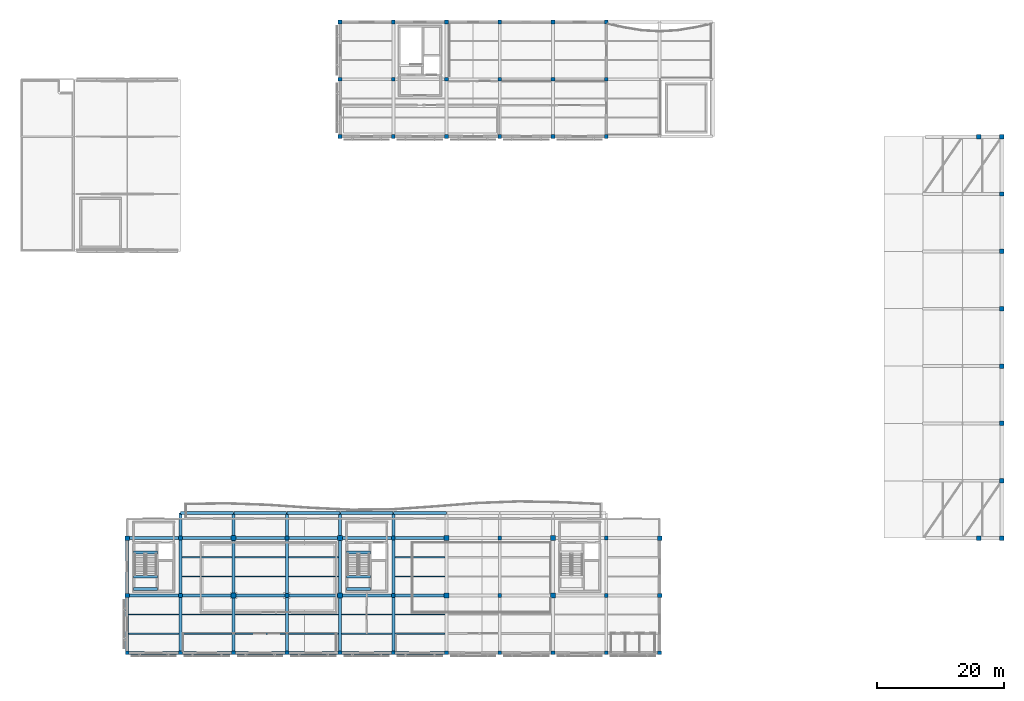
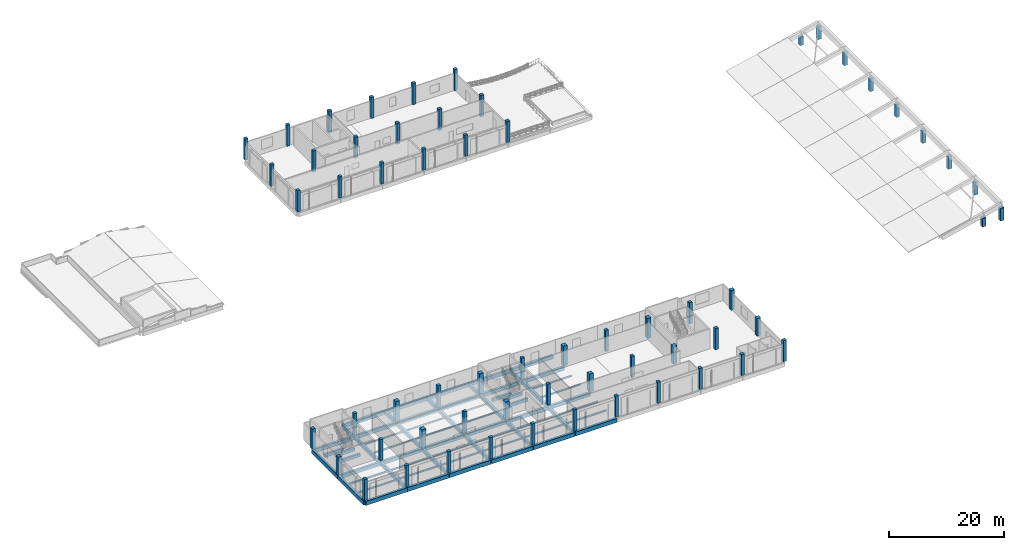
# One storey, part 1 of 28: 61 beams, 61 columns.
"""IFC4 building model written with IfcOpenShell, lengths in metres."""

from ifc_helpers import new_model, si_unit, direction, frame, origin, origin_2d, place, context, subcontext, project, spatial, rectangle, i_section, extrude, material, material_profile, profile_set, type_object, element, save


model = new_model("IFC4")

# Units and contexts
model_context = context("Model", 3, precision=1e-05, world=origin(), true_north=direction((0.0, 1.0)))
body_context = subcontext(model_context, "Body", "Model", "MODEL_VIEW")
ifc_project = project(units=[si_unit("LENGTHUNIT", "METRE"), si_unit("AREAUNIT", "SQUARE_METRE"), si_unit("VOLUMEUNIT", "CUBIC_METRE"), si_unit("PLANEANGLEUNIT", "RADIAN"), si_unit("MASSUNIT", "GRAM", prefix="KILO")], contexts=[model_context])

# Site, building, storey
site_placement = place(None, origin())
site = spatial("IfcSite", under=ifc_project, at=site_placement, CompositionType="ELEMENT")
building_placement = place(site_placement, origin())
building = spatial("IfcBuilding", under=site, at=building_placement, Name="Khurvash Pelagic Aquarium", CompositionType="ELEMENT")
storey_placement = place(building_placement, frame((0.0, 0.0, 20.10009765625)))
storey = spatial("IfcBuildingStorey", under=building, at=storey_placement, Name="L04", CompositionType="ELEMENT", Elevation=20.10009765625)

# Columns
ifc_material_1 = material(Name="Concrete C40/50", Category="concrete")
ifc_material_profile_1 = material_profile(ifc_material_1, rectangle(XDim=0.800048828125, YDim=0.800048828125, at=origin_2d()), Name="RC800X800")
ifc_profile_set_1 = profile_set([ifc_material_profile_1], Name="Concrete C40/50")
column_type_1 = type_object("IfcColumnType", Name="C-02", PredefinedType="COLUMN", material=ifc_profile_set_1)
column_1_placement = place(storey_placement, frame((42.0, 11.64990234375, 0.0), z_axis=(0.0, 0.0, 1.0), x_axis=(1.0, 0.0, 0.0)))
element("IfcColumn", 1, at=column_1_placement, inside=storey, type_object=column_type_1, Name="L04 Column C-02 at 6/C", PredefinedType="COLUMN", context=body_context, shape_type="SweptSolid", body=[
    extrude(rectangle(XDim=0.800048828125, YDim=0.800048828125, at=origin_2d()), origin(), (0.0, 0.0, 1.0), 3.75),
])
column_2_placement = place(storey_placement, frame((42.0, 20.699951171875, 0.0), z_axis=(0.0, 0.0, 1.0), x_axis=(1.0, 0.0, 0.0)))
element("IfcColumn", 2, at=column_2_placement, inside=storey, type_object=column_type_1, Name="L04 Column C-02 at 6/D", PredefinedType="COLUMN", context=body_context, shape_type="SweptSolid", body=[
    extrude(rectangle(XDim=0.800048828125, YDim=0.800048828125, at=origin_2d()), origin(), (0.0, 0.0, 1.0), 4.199951171875),
])
column_3_placement = place(storey_placement, frame((58.800048828125, 11.64990234375, 0.0), z_axis=(0.0, 0.0, 1.0), x_axis=(1.0, 0.0, 0.0)))
element("IfcColumn", 3, at=column_3_placement, inside=storey, type_object=column_type_1, Name="L04 Column C-02 at 8/C", PredefinedType="COLUMN", context=body_context, shape_type="SweptSolid", body=[
    extrude(rectangle(XDim=0.800048828125, YDim=0.800048828125, at=origin_2d()), origin(), (0.0, 0.0, 1.0), 3.75),
])
column_4_placement = place(storey_placement, frame((58.800048828125, 20.699951171875, 0.0), z_axis=(0.0, 0.0, 1.0), x_axis=(1.0, 0.0, 0.0)))
element("IfcColumn", 4, at=column_4_placement, inside=storey, type_object=column_type_1, Name="L04 Column C-02 at 8/D", PredefinedType="COLUMN", context=body_context, shape_type="SweptSolid", body=[
    extrude(rectangle(XDim=0.800048828125, YDim=0.800048828125, at=origin_2d()), origin(), (0.0, 0.0, 1.0), 4.199951171875),
])
column_5_placement = place(storey_placement, frame((75.60009765625, 11.64990234375, 0.0), z_axis=(0.0, 0.0, 1.0), x_axis=(1.0, 0.0, 0.0)))
element("IfcColumn", 5, at=column_5_placement, inside=storey, type_object=column_type_1, Name="L04 Column C-02 at 10/C", PredefinedType="COLUMN", context=body_context, shape_type="SweptSolid", body=[
    extrude(rectangle(XDim=0.800048828125, YDim=0.800048828125, at=origin_2d()), origin(), (0.0, 0.0, 1.0), 3.75),
])
column_6_placement = place(storey_placement, frame((75.60009765625, 20.699951171875, 0.0), z_axis=(0.0, 0.0, 1.0), x_axis=(1.0, 0.0, 0.0)))
element("IfcColumn", 6, at=column_6_placement, inside=storey, type_object=column_type_1, Name="L04 Column C-02 at 10/D", PredefinedType="COLUMN", context=body_context, shape_type="SweptSolid", body=[
    extrude(rectangle(XDim=0.800048828125, YDim=0.800048828125, at=origin_2d()), origin(), (0.0, 0.0, 1.0), 4.199951171875),
])
column_7_placement = place(storey_placement, frame((92.39990234375, 11.64990234375, 0.0), z_axis=(0.0, 0.0, 1.0), x_axis=(1.0, 0.0, 0.0)))
element("IfcColumn", 7, at=column_7_placement, inside=storey, type_object=column_type_1, Name="L04 Column C-02 at 12/C", PredefinedType="COLUMN", context=body_context, shape_type="SweptSolid", body=[
    extrude(rectangle(XDim=0.800048828125, YDim=0.800048828125, at=origin_2d()), origin(), (0.0, 0.0, 1.0), 3.75),
])
column_8_placement = place(storey_placement, frame((92.39990234375, 20.699951171875, 0.0), z_axis=(0.0, 0.0, 1.0), x_axis=(1.0, 0.0, 0.0)))
element("IfcColumn", 8, at=column_8_placement, inside=storey, type_object=column_type_1, Name="L04 Column C-02 at 12/D", PredefinedType="COLUMN", context=body_context, shape_type="SweptSolid", body=[
    extrude(rectangle(XDim=0.800048828125, YDim=0.800048828125, at=origin_2d()), origin(), (0.0, 0.0, 1.0), 4.199951171875),
])
ifc_material_profile_2 = material_profile(ifc_material_1, rectangle(XDim=0.60009765625, YDim=0.60009765625, at=origin_2d()), Name="RC600X600")
ifc_profile_set_2 = profile_set([ifc_material_profile_2], Name="Concrete C40/50")
column_type_2 = type_object("IfcColumnType", Name="C-04", PredefinedType="COLUMN", material=ifc_profile_set_2)
for number, where, z_axis, x_axis, name in (
    (9, (33.60009765625, 11.64990234375, 0.0), (0.0, 0.0, 1.0), (1.0, 0.0, 0.0), "L04 Column C-04 at 5/C"),
    (10, (33.60009765625, 20.699951171875, 0.0), (0.0, 0.0, 1.0), (1.0, 0.0, 0.0), "L04 Column C-04 at 5/D"),
    (11, (50.39990234375, 11.64990234375, 0.0), (0.0, 0.0, 1.0), (1.0, 0.0, 0.0), "L04 Column C-04 at 7/C"),
    (12, (50.39990234375, 20.699951171875, 0.0), (0.0, 0.0, 1.0), (1.0, 0.0, 0.0), "L04 Column C-04 at 7/D"),
    (13, (67.199951171875, 11.64990234375, 0.0), (0.0, 0.0, 1.0), (1.0, 0.0, 0.0), "L04 Column C-04 at 9/C"),
    (14, (67.199951171875, 20.699951171875, 0.0), (0.0, 0.0, 1.0), (1.0, 0.0, 0.0), "L04 Column C-04 at 9/D"),
    (15, (67.199951171875, 93.10009765625, 0.0), (0.0, 0.0, 1.0), (1.0, 0.0, 0.0), "L04 Column C-04 at 9/M"),
    (16, (75.60009765625, 93.10009765625, 0.0), (0.0, 0.0, 1.0), (1.0, 0.0, 0.0), "L04 Column C-04 at 10/M"),
    (17, (84.0, 11.64990234375, 0.0), (0.0, 0.0, 1.0), (1.0, 0.0, 0.0), "L04 Column C-04 at 11/C"),
    (18, (84.0, 20.699951171875, 0.0), (0.0, 0.0, 1.0), (1.0, 0.0, 0.0), "L04 Column C-04 at 11/D"),
    (19, (84.0, 93.10009765625, 0.0), (0.0, 0.0, 1.0), (1.0, 0.0, 0.0), "L04 Column C-04 at 11/M"),
    (20, (92.39990234375, 93.10009765625, 0.0), (0.0, 0.0, 1.0), (1.0, 0.0, 0.0), "L04 Column C-04 at 12/M"),
    (21, (100.800048828125, 11.64990234375, 0.0), (0.0, 0.0, 1.0), (1.0, 0.0, 0.0), "L04 Column C-04 at 13/C"),
    (22, (100.800048828125, 20.699951171875, 0.0), (0.0, 0.0, 1.0), (1.0, 0.0, 0.0), "L04 Column C-04 at 13/D"),
):
    element("IfcColumn", number, at=place(storey_placement, frame(where, z_axis=z_axis, x_axis=x_axis)), inside=storey, type_object=column_type_2, Name=name, PredefinedType="COLUMN", context=body_context, shape_type="SweptSolid", body=[
        extrude(rectangle(XDim=0.60009765625, YDim=0.60009765625, at=origin_2d()), origin(), (0.0, 0.0, 1.0), 4.5),
    ])
ifc_material_profile_3 = material_profile(ifc_material_1, rectangle(XDim=0.699951171875, YDim=0.699951171875, at=origin_2d()), Name="RC700X700")
ifc_profile_set_3 = profile_set([ifc_material_profile_3], Name="Concrete C40/50")
column_type_3 = type_object("IfcColumnType", Name="C-07", PredefinedType="COLUMN", material=ifc_profile_set_3)
for number, where, z_axis, x_axis, name in (
    (23, (159.60009765625, 20.699951171875, 0.0), (0.0, 0.0, 1.0), (1.0, 0.0, 0.0), "L04 Wave-Shell Perimeter Column C-07 at 20/D"),
    (24, (159.60009765625, 84.050048828125, 0.0), (0.0, 0.0, 1.0), (1.0, 0.0, 0.0), "L04 Wave-Shell Perimeter Column C-07 at 20/L"),
):
    element("IfcColumn", number, at=place(storey_placement, frame(where, z_axis=z_axis, x_axis=x_axis)), inside=storey, type_object=column_type_3, Name=name, PredefinedType="COLUMN", context=body_context, shape_type="SweptSolid", body=[
        extrude(rectangle(XDim=0.699951171875, YDim=0.699951171875, at=origin_2d()), origin(), (0.0, 0.0, 1.0), 1.822998046875),
    ])
for number, where, z_axis, x_axis, name in (
    (25, (163.199951171875, 20.699951171875, 0.0), (0.0, 0.0, 1.0), (1.0, 0.0, 0.0), "L04 Wave-Shell Perimeter Column C-07 at 21/D"),
    (26, (163.199951171875, 29.75, 0.0), (0.0, 0.0, 1.0), (1.0, 0.0, 0.0), "L04 Wave-Shell Perimeter Column C-07 at 21/E"),
    (27, (163.199951171875, 38.800048828125, 0.0), (0.0, 0.0, 1.0), (1.0, 0.0, 0.0), "L04 Wave-Shell Perimeter Column C-07 at 21/F"),
    (28, (163.199951171875, 47.85009765625, 0.0), (0.0, 0.0, 1.0), (1.0, 0.0, 0.0), "L04 Wave-Shell Perimeter Column C-07 at 21/G"),
    (29, (163.199951171875, 56.89990234375, 0.0), (0.0, 0.0, 1.0), (1.0, 0.0, 0.0), "L04 Wave-Shell Perimeter Column C-07 at 21/H"),
    (30, (163.199951171875, 65.949951171875, 0.0), (0.0, 0.0, 1.0), (1.0, 0.0, 0.0), "L04 Wave-Shell Perimeter Column C-07 at 21/J"),
    (31, (163.199951171875, 75.0, 0.0), (0.0, 0.0, 1.0), (1.0, 0.0, 0.0), "L04 Wave-Shell Perimeter Column C-07 at 21/K"),
    (32, (163.199951171875, 84.050048828125, 0.0), (0.0, 0.0, 1.0), (1.0, 0.0, 0.0), "L04 Wave-Shell Perimeter Column C-07 at 21/L"),
):
    element("IfcColumn", number, at=place(storey_placement, frame(where, z_axis=z_axis, x_axis=x_axis)), inside=storey, type_object=column_type_3, Name=name, PredefinedType="COLUMN", context=body_context, shape_type="SweptSolid", body=[
        extrude(rectangle(XDim=0.699951171875, YDim=0.699951171875, at=origin_2d()), origin(), (0.0, 0.0, 1.0), 2.699951171875),
    ])
column_9_placement = place(storey_placement, frame((25.199951171875, 11.64990234375, 0.0), z_axis=(0.0, 0.0, 1.0), x_axis=(1.0, 0.0, 0.0)))
element("IfcColumn", 33, at=column_9_placement, inside=storey, type_object=column_type_3, Name="L04 Column C-07 at 4/C", PredefinedType="COLUMN", context=body_context, shape_type="SweptSolid", body=[
    extrude(rectangle(XDim=0.699951171875, YDim=0.699951171875, at=origin_2d()), origin(), (0.0, 0.0, 1.0), 3.75),
])
column_10_placement = place(storey_placement, frame((25.199951171875, 20.699951171875, 0.0), z_axis=(0.0, 0.0, 1.0), x_axis=(1.0, 0.0, 0.0)))
element("IfcColumn", 34, at=column_10_placement, inside=storey, type_object=column_type_3, Name="L04 Column C-07 at 4/D", PredefinedType="COLUMN", context=body_context, shape_type="SweptSolid", body=[
    extrude(rectangle(XDim=0.699951171875, YDim=0.699951171875, at=origin_2d()), origin(), (0.0, 0.0, 1.0), 4.199951171875),
])
column_11_placement = place(storey_placement, frame((109.199951171875, 11.64990234375, 0.0), z_axis=(0.0, 0.0, 1.0), x_axis=(1.0, 0.0, 0.0)))
element("IfcColumn", 35, at=column_11_placement, inside=storey, type_object=column_type_3, Name="L04 Column C-07 at 14/C", PredefinedType="COLUMN", context=body_context, shape_type="SweptSolid", body=[
    extrude(rectangle(XDim=0.699951171875, YDim=0.699951171875, at=origin_2d()), origin(), (0.0, 0.0, 1.0), 3.75),
])
column_12_placement = place(storey_placement, frame((109.199951171875, 20.699951171875, 0.0), z_axis=(0.0, 0.0, 1.0), x_axis=(1.0, 0.0, 0.0)))
element("IfcColumn", 36, at=column_12_placement, inside=storey, type_object=column_type_3, Name="L04 Column C-07 at 14/D", PredefinedType="COLUMN", context=body_context, shape_type="SweptSolid", body=[
    extrude(rectangle(XDim=0.699951171875, YDim=0.699951171875, at=origin_2d()), origin(), (0.0, 0.0, 1.0), 4.199951171875),
])
ifc_material_profile_4 = material_profile(ifc_material_1, rectangle(XDim=0.60009765625, YDim=0.60009765625, at=origin_2d()), Name="RC600X600")
ifc_profile_set_4 = profile_set([ifc_material_profile_4], Name="Concrete C40/50")
column_type_4 = type_object("IfcColumnType", Name="C-08", PredefinedType="COLUMN", material=ifc_profile_set_4)
for number, where, z_axis, x_axis, name in (
    (37, (25.199951171875, 2.60009765625, 0.0), (0.0, 0.0, 1.0), (1.0, 0.0, 0.0), "L04 Column C-08 at 4/B"),
    (38, (33.60009765625, 2.60009765625, 0.0), (0.0, 0.0, 1.0), (1.0, 0.0, 0.0), "L04 Column C-08 at 5/B"),
    (39, (42.0, 2.60009765625, 0.0), (0.0, 0.0, 1.0), (1.0, 0.0, 0.0), "L04 Column C-08 at 6/B"),
    (40, (50.39990234375, 2.60009765625, 0.0), (0.0, 0.0, 1.0), (1.0, 0.0, 0.0), "L04 Column C-08 at 7/B"),
    (41, (58.800048828125, 2.60009765625, 0.0), (0.0, 0.0, 1.0), (1.0, 0.0, 0.0), "L04 Column C-08 at 8/B"),
    (42, (58.800048828125, 84.050048828125, 0.0), (0.0, 0.0, 1.0), (1.0, 0.0, 0.0), "L04 Column C-08 at 8/L"),
    (43, (58.800048828125, 93.10009765625, 0.0), (0.0, 0.0, 1.0), (1.0, 0.0, 0.0), "L04 Column C-08 at 8/M"),
    (44, (58.800048828125, 102.14990234375, 0.0), (0.0, 0.0, 1.0), (1.0, 0.0, 0.0), "L04 Column C-08 at 8/N"),
    (45, (67.199951171875, 2.60009765625, 0.0), (0.0, 0.0, 1.0), (1.0, 0.0, 0.0), "L04 Column C-08 at 9/B"),
    (46, (67.199951171875, 84.050048828125, 0.0), (0.0, 0.0, 1.0), (1.0, 0.0, 0.0), "L04 Column C-08 at 9/L"),
    (47, (67.199951171875, 102.14990234375, 0.0), (0.0, 0.0, 1.0), (1.0, 0.0, 0.0), "L04 Column C-08 at 9/N"),
    (48, (75.60009765625, 2.60009765625, 0.0), (0.0, 0.0, 1.0), (1.0, 0.0, 0.0), "L04 Column C-08 at 10/B"),
    (49, (75.60009765625, 84.050048828125, 0.0), (0.0, 0.0, 1.0), (1.0, 0.0, 0.0), "L04 Column C-08 at 10/L"),
    (50, (75.60009765625, 102.14990234375, 0.0), (0.0, 0.0, 1.0), (1.0, 0.0, 0.0), "L04 Column C-08 at 10/N"),
    (51, (84.0, 2.60009765625, 0.0), (0.0, 0.0, 1.0), (1.0, 0.0, 0.0), "L04 Column C-08 at 11/B"),
    (52, (84.0, 84.050048828125, 0.0), (0.0, 0.0, 1.0), (1.0, 0.0, 0.0), "L04 Column C-08 at 11/L"),
    (53, (84.0, 102.14990234375, 0.0), (0.0, 0.0, 1.0), (1.0, 0.0, 0.0), "L04 Column C-08 at 11/N"),
    (54, (92.39990234375, 2.60009765625, 0.0), (0.0, 0.0, 1.0), (1.0, 0.0, 0.0), "L04 Column C-08 at 12/B"),
    (55, (92.39990234375, 84.050048828125, 0.0), (0.0, 0.0, 1.0), (1.0, 0.0, 0.0), "L04 Column C-08 at 12/L"),
    (56, (92.39990234375, 102.14990234375, 0.0), (0.0, 0.0, 1.0), (1.0, 0.0, 0.0), "L04 Column C-08 at 12/N"),
    (57, (100.800048828125, 2.60009765625, 0.0), (0.0, 0.0, 1.0), (1.0, 0.0, 0.0), "L04 Column C-08 at 13/B"),
    (58, (100.800048828125, 84.050048828125, 0.0), (0.0, 0.0, 1.0), (1.0, 0.0, 0.0), "L04 Column C-08 at 13/L"),
    (59, (100.800048828125, 93.10009765625, 0.0), (0.0, 0.0, 1.0), (1.0, 0.0, 0.0), "L04 Column C-08 at 13/M"),
    (60, (100.800048828125, 102.14990234375, 0.0), (0.0, 0.0, 1.0), (1.0, 0.0, 0.0), "L04 Column C-08 at 13/N"),
    (61, (109.199951171875, 2.60009765625, 0.0), (0.0, 0.0, 1.0), (1.0, 0.0, 0.0), "L04 Column C-08 at 14/B"),
):
    element("IfcColumn", number, at=place(storey_placement, frame(where, z_axis=z_axis, x_axis=x_axis)), inside=storey, type_object=column_type_4, Name=name, PredefinedType="COLUMN", context=body_context, shape_type="SweptSolid", body=[
        extrude(rectangle(XDim=0.60009765625, YDim=0.60009765625, at=origin_2d()), origin(), (0.0, 0.0, 1.0), 4.5),
    ])

# Beams
ifc_material_2 = material(Name="Concrete C35/45", Category="concrete")
ifc_material_profile_5 = material_profile(ifc_material_2, rectangle(XDim=0.449951171875, YDim=0.75, at=origin_2d()), Name="RC450X750")
ifc_profile_set_5 = profile_set([ifc_material_profile_5], Name="Concrete C35/45")
beam_type_1 = type_object("IfcBeamType", Name="BM-04", PredefinedType="BEAM", material=ifc_profile_set_5)
for number, where, z_axis, x_axis, name in (
    (62, (25.239990234375, 11.64990234375, -0.695068359375), (1.0, 0.0, 0.0), (0.0, 1.0, 0.0), "L04 Primary Girder BM-04 01054"),
    (63, (33.639892578125, 11.64990234375, -0.695068359375), (1.0, 0.0, 0.0), (0.0, 1.0, 0.0), "L04 Primary Girder BM-04 01055"),
    (64, (42.0400390625, 11.64990234375, -0.695068359375), (1.0, 0.0, 0.0), (0.0, 1.0, 0.0), "L04 Primary Girder BM-04 01056"),
    (65, (50.43994140625, 11.64990234375, -0.695068359375), (1.0, 0.0, 0.0), (0.0, 1.0, 0.0), "L04 Primary Girder BM-04 01057"),
):
    element("IfcBeam", number, at=place(storey_placement, frame(where, z_axis=z_axis, x_axis=x_axis)), inside=storey, type_object=beam_type_1, Name=name, PredefinedType="BEAM", context=body_context, shape_type="SweptSolid", body=[
        extrude(rectangle(XDim=0.449951171875, YDim=0.75, at=origin_2d()), origin(), (0.0, 0.0, 1.0), 8.320068359375),
    ])
beam_1_placement = place(storey_placement, frame((58.840087890625, 11.64990234375, -0.695068359375), z_axis=(1.0, 0.0, 0.0), x_axis=(0.0, 1.0, 0.0)))
element("IfcBeam", 66, at=beam_1_placement, inside=storey, type_object=beam_type_1, Name="L04 Primary Girder BM-04 01058", PredefinedType="BEAM", context=body_context, shape_type="SweptSolid", body=[
    extrude(rectangle(XDim=0.449951171875, YDim=0.75, at=origin_2d()), origin(), (0.0, 0.0, 1.0), 8.31982421875),
])
for number, where, z_axis, x_axis, name in (
    (67, (67.239990234375, 11.64990234375, -0.695068359375), (1.0, 0.0, 0.0), (0.0, 1.0, 0.0), "L04 Primary Girder BM-04 01059"),
    (68, (25.239990234375, 20.699951171875, -0.695068359375), (1.0, 0.0, 0.0), (0.0, 1.0, 0.0), "L04 Primary Girder BM-04 01064"),
    (69, (33.639892578125, 20.699951171875, -0.695068359375), (1.0, 0.0, 0.0), (0.0, 1.0, 0.0), "L04 Primary Girder BM-04 01065"),
    (70, (42.0400390625, 20.699951171875, -0.695068359375), (1.0, 0.0, 0.0), (0.0, 1.0, 0.0), "L04 Primary Girder BM-04 01066"),
    (71, (50.43994140625, 20.699951171875, -0.695068359375), (1.0, 0.0, 0.0), (0.0, 1.0, 0.0), "L04 Primary Girder BM-04 01067"),
):
    element("IfcBeam", number, at=place(storey_placement, frame(where, z_axis=z_axis, x_axis=x_axis)), inside=storey, type_object=beam_type_1, Name=name, PredefinedType="BEAM", context=body_context, shape_type="SweptSolid", body=[
        extrude(rectangle(XDim=0.449951171875, YDim=0.75, at=origin_2d()), origin(), (0.0, 0.0, 1.0), 8.320068359375),
    ])
beam_2_placement = place(storey_placement, frame((58.840087890625, 20.699951171875, -0.695068359375), z_axis=(1.0, 0.0, 0.0), x_axis=(0.0, 1.0, 0.0)))
element("IfcBeam", 72, at=beam_2_placement, inside=storey, type_object=beam_type_1, Name="L04 Primary Girder BM-04 01068", PredefinedType="BEAM", context=body_context, shape_type="SweptSolid", body=[
    extrude(rectangle(XDim=0.449951171875, YDim=0.75, at=origin_2d()), origin(), (0.0, 0.0, 1.0), 8.31982421875),
])
beam_3_placement = place(storey_placement, frame((67.239990234375, 20.699951171875, -0.695068359375), z_axis=(1.0, 0.0, 0.0), x_axis=(0.0, 1.0, 0.0)))
element("IfcBeam", 73, at=beam_3_placement, inside=storey, type_object=beam_type_1, Name="L04 Primary Girder BM-04 01069", PredefinedType="BEAM", context=body_context, shape_type="SweptSolid", body=[
    extrude(rectangle(XDim=0.449951171875, YDim=0.75, at=origin_2d()), origin(), (0.0, 0.0, 1.0), 8.320068359375),
])
beam_4_placement = place(storey_placement, frame((33.60009765625, 2.639892578125, -0.675048828125), z_axis=(0.0, 1.0, 0.0), x_axis=(-1.0, 0.0, 0.0)))
element("IfcBeam", 74, at=beam_4_placement, inside=storey, type_object=beam_type_1, Name="L04 Primary Girder BM-04 01097", PredefinedType="BEAM", context=body_context, shape_type="SweptSolid", body=[
    extrude(rectangle(XDim=0.449951171875, YDim=0.75, at=origin_2d()), origin(), (0.0, 0.0, 1.0), 8.97021484375),
])
beam_5_placement = place(storey_placement, frame((33.60009765625, 11.68994140625, -0.695068359375), z_axis=(0.0, 1.0, 0.0), x_axis=(-1.0, 0.0, 0.0)))
element("IfcBeam", 75, at=beam_5_placement, inside=storey, type_object=beam_type_1, Name="L04 Primary Girder BM-04 01098", PredefinedType="BEAM", context=body_context, shape_type="SweptSolid", body=[
    extrude(rectangle(XDim=0.449951171875, YDim=0.75, at=origin_2d()), origin(), (0.0, 0.0, 1.0), 12.9599609375),
])
beam_6_placement = place(storey_placement, frame((42.0, 2.639892578125, -0.675048828125), z_axis=(0.0, 1.0, 0.0), x_axis=(-1.0, 0.0, 0.0)))
element("IfcBeam", 76, at=beam_6_placement, inside=storey, type_object=beam_type_1, Name="L04 Primary Girder BM-04 01099", PredefinedType="BEAM", context=body_context, shape_type="SweptSolid", body=[
    extrude(rectangle(XDim=0.449951171875, YDim=0.75, at=origin_2d()), origin(), (0.0, 0.0, 1.0), 8.97021484375),
])
beam_7_placement = place(storey_placement, frame((42.0, 11.68994140625, -0.695068359375), z_axis=(0.0, 1.0, 0.0), x_axis=(-1.0, 0.0, 0.0)))
element("IfcBeam", 77, at=beam_7_placement, inside=storey, type_object=beam_type_1, Name="L04 Primary Girder BM-04 01100", PredefinedType="BEAM", context=body_context, shape_type="SweptSolid", body=[
    extrude(rectangle(XDim=0.449951171875, YDim=0.75, at=origin_2d()), origin(), (0.0, 0.0, 1.0), 12.9599609375),
])
beam_8_placement = place(storey_placement, frame((50.39990234375, 2.639892578125, -0.675048828125), z_axis=(0.0, 1.0, 0.0), x_axis=(-1.0, 0.0, 0.0)))
element("IfcBeam", 78, at=beam_8_placement, inside=storey, type_object=beam_type_1, Name="L04 Primary Girder BM-04 01101", PredefinedType="BEAM", context=body_context, shape_type="SweptSolid", body=[
    extrude(rectangle(XDim=0.449951171875, YDim=0.75, at=origin_2d()), origin(), (0.0, 0.0, 1.0), 8.97021484375),
])
beam_9_placement = place(storey_placement, frame((50.39990234375, 11.68994140625, -0.695068359375), z_axis=(0.0, 1.0, 0.0), x_axis=(-1.0, 0.0, 0.0)))
element("IfcBeam", 79, at=beam_9_placement, inside=storey, type_object=beam_type_1, Name="L04 Primary Girder BM-04 01102", PredefinedType="BEAM", context=body_context, shape_type="SweptSolid", body=[
    extrude(rectangle(XDim=0.449951171875, YDim=0.75, at=origin_2d()), origin(), (0.0, 0.0, 1.0), 12.9599609375),
])
beam_10_placement = place(storey_placement, frame((58.800048828125, 2.639892578125, -0.675048828125), z_axis=(0.0, 1.0, 0.0), x_axis=(-1.0, 0.0, 0.0)))
element("IfcBeam", 80, at=beam_10_placement, inside=storey, type_object=beam_type_1, Name="L04 Primary Girder BM-04 01103", PredefinedType="BEAM", context=body_context, shape_type="SweptSolid", body=[
    extrude(rectangle(XDim=0.449951171875, YDim=0.75, at=origin_2d()), origin(), (0.0, 0.0, 1.0), 8.97021484375),
])
beam_11_placement = place(storey_placement, frame((58.800048828125, 11.68994140625, -0.695068359375), z_axis=(0.0, 1.0, 0.0), x_axis=(-1.0, 0.0, 0.0)))
element("IfcBeam", 81, at=beam_11_placement, inside=storey, type_object=beam_type_1, Name="L04 Primary Girder BM-04 01104", PredefinedType="BEAM", context=body_context, shape_type="SweptSolid", body=[
    extrude(rectangle(XDim=0.449951171875, YDim=0.75, at=origin_2d()), origin(), (0.0, 0.0, 1.0), 12.9599609375),
])
beam_12_placement = place(storey_placement, frame((67.199951171875, 2.639892578125, -0.675048828125), z_axis=(0.0, 1.0, 0.0), x_axis=(-1.0, 0.0, 0.0)))
element("IfcBeam", 82, at=beam_12_placement, inside=storey, type_object=beam_type_1, Name="L04 Primary Girder BM-04 01107", PredefinedType="BEAM", context=body_context, shape_type="SweptSolid", body=[
    extrude(rectangle(XDim=0.449951171875, YDim=0.75, at=origin_2d()), origin(), (0.0, 0.0, 1.0), 8.97021484375),
])
beam_13_placement = place(storey_placement, frame((67.199951171875, 11.68994140625, -0.695068359375), z_axis=(0.0, 1.0, 0.0), x_axis=(-1.0, 0.0, 0.0)))
element("IfcBeam", 83, at=beam_13_placement, inside=storey, type_object=beam_type_1, Name="L04 Primary Girder BM-04 01108", PredefinedType="BEAM", context=body_context, shape_type="SweptSolid", body=[
    extrude(rectangle(XDim=0.449951171875, YDim=0.75, at=origin_2d()), origin(), (0.0, 0.0, 1.0), 12.9599609375),
])
for number, where, z_axis, x_axis, name in (
    (84, (33.639892578125, 24.64990234375, -0.695068359375), (1.0, 0.0, 0.0), (0.0, 1.0, 0.0), "L04 Terrace Edge Trimmer Beam BM-04"),
    (85, (42.0400390625, 24.64990234375, -0.695068359375), (1.0, 0.0, 0.0), (0.0, 1.0, 0.0), "L04 Terrace Edge Trimmer Beam BM-04"),
    (86, (50.43994140625, 24.64990234375, -0.695068359375), (1.0, 0.0, 0.0), (0.0, 1.0, 0.0), "L04 Terrace Edge Trimmer Beam BM-04"),
):
    element("IfcBeam", number, at=place(storey_placement, frame(where, z_axis=z_axis, x_axis=x_axis)), inside=storey, type_object=beam_type_1, Name=name, PredefinedType="BEAM", context=body_context, shape_type="SweptSolid", body=[
        extrude(rectangle(XDim=0.449951171875, YDim=0.75, at=origin_2d()), origin(), (0.0, 0.0, 1.0), 8.320068359375),
    ])
beam_14_placement = place(storey_placement, frame((58.840087890625, 24.64990234375, -0.695068359375), z_axis=(1.0, 0.0, 0.0), x_axis=(0.0, 1.0, 0.0)))
element("IfcBeam", 87, at=beam_14_placement, inside=storey, type_object=beam_type_1, Name="L04 Terrace Edge Trimmer Beam BM-04", PredefinedType="BEAM", context=body_context, shape_type="SweptSolid", body=[
    extrude(rectangle(XDim=0.449951171875, YDim=0.75, at=origin_2d()), origin(), (0.0, 0.0, 1.0), 8.31982421875),
])
beam_15_placement = place(storey_placement, frame((67.239990234375, 24.64990234375, -0.695068359375), z_axis=(1.0, 0.0, 0.0), x_axis=(0.0, 1.0, 0.0)))
element("IfcBeam", 88, at=beam_15_placement, inside=storey, type_object=beam_type_1, Name="L04 Terrace Edge Trimmer Beam BM-04", PredefinedType="BEAM", context=body_context, shape_type="SweptSolid", body=[
    extrude(rectangle(XDim=0.449951171875, YDim=0.75, at=origin_2d()), origin(), (0.0, 0.0, 1.0), 8.320068359375),
])
ifc_material_profile_6 = material_profile(ifc_material_2, rectangle(XDim=0.39990234375, YDim=0.64990234375, at=origin_2d()), Name="RC400X650")
ifc_profile_set_6 = profile_set([ifc_material_profile_6], Name="Concrete C35/45")
beam_type_2 = type_object("IfcBeamType", Name="BM-05", PredefinedType="BEAM", material=ifc_profile_set_6)
for number, where, z_axis, x_axis, name in (
    (89, (26.179931640625, 18.429931640625, -0.625), (1.0, 0.0, 0.0), (0.0, 1.0, 0.0), "L04 Stair ST-01 Header Trimmer Beam BM-05"),
    (90, (26.179931640625, 12.669921875, 1.724853515625), (1.0, 0.0, 0.0), (0.0, 1.0, 0.0), "L04 Stair ST-01 Mid-Landing Trimmer Beam BM-05"),
    (91, (26.179931640625, 14.610107421875, 1.724853515625), (1.0, 0.0, 0.0), (0.0, 1.0, 0.0), "L04 Stair ST-01 Mid-Landing Trimmer Beam BM-05"),
    (92, (59.780029296875, 18.429931640625, -0.625), (1.0, 0.0, 0.0), (0.0, 1.0, 0.0), "L04 Stair ST-02 Header Trimmer Beam BM-05"),
    (93, (59.780029296875, 12.669921875, 1.724853515625), (1.0, 0.0, 0.0), (0.0, 1.0, 0.0), "L04 Stair ST-02 Mid-Landing Trimmer Beam BM-05"),
    (94, (59.780029296875, 14.610107421875, 1.724853515625), (1.0, 0.0, 0.0), (0.0, 1.0, 0.0), "L04 Stair ST-02 Mid-Landing Trimmer Beam BM-05"),
):
    element("IfcBeam", number, at=place(storey_placement, frame(where, z_axis=z_axis, x_axis=x_axis)), inside=storey, type_object=beam_type_2, Name=name, PredefinedType="BEAM", context=body_context, shape_type="SweptSolid", body=[
        extrude(rectangle(XDim=0.39990234375, YDim=0.64990234375, at=origin_2d()), origin(), (0.0, 0.0, 1.0), 3.840087890625),
    ])
ifc_material_3 = material(Name="Steel S355J2", Category="steel")
ifc_material_profile_7 = material_profile(ifc_material_3, i_section(OverallWidth=0.169921875, OverallDepth=0.360107421875, WebThickness=0.008056640625, FlangeThickness=0.0126953125, at=origin_2d()), Name="IPE360")
ifc_profile_set_7 = profile_set([ifc_material_profile_7], Name="Steel S355J2")
beam_type_3 = type_object("IfcBeamType", Name="JS-04", PredefinedType="JOIST", material=ifc_profile_set_7)
for number, where, z_axis, x_axis, name in (
    (95, (25.449951171875, 5.616943359375, -0.47998046875), (1.0, 0.0, 0.0), (0.0, 1.0, 0.0), "L04 Floor Joist JS-04 01133"),
    (96, (25.449951171875, 8.633056640625, -0.47998046875), (1.0, 0.0, 0.0), (0.0, 1.0, 0.0), "L04 Floor Joist JS-04 01134"),
):
    element("IfcBeam", number, at=place(storey_placement, frame(where, z_axis=z_axis, x_axis=x_axis)), inside=storey, type_object=beam_type_3, Name=name, PredefinedType="JOIST", context=body_context, shape_type="SweptSolid", body=[
        extrude(i_section(OverallWidth=0.169921875, OverallDepth=0.360107421875, WebThickness=0.008056640625, FlangeThickness=0.0126953125, at=origin_2d()), origin(), (0.0, 0.0, 1.0), 7.925048828125),
    ])
for number, where, z_axis, x_axis, name in (
    (97, (33.824951171875, 5.616943359375, -0.47998046875), (1.0, 0.0, 0.0), (0.0, 1.0, 0.0), "L04 Floor Joist JS-04 01135"),
    (98, (33.824951171875, 8.633056640625, -0.47998046875), (1.0, 0.0, 0.0), (0.0, 1.0, 0.0), "L04 Floor Joist JS-04 01136"),
    (99, (33.824951171875, 14.6669921875, -0.47998046875), (1.0, 0.0, 0.0), (0.0, 1.0, 0.0), "L04 Floor Joist JS-04 01137"),
    (100, (33.824951171875, 17.68310546875, -0.47998046875), (1.0, 0.0, 0.0), (0.0, 1.0, 0.0), "L04 Floor Joist JS-04 01138"),
    (101, (42.22509765625, 5.616943359375, -0.47998046875), (1.0, 0.0, 0.0), (0.0, 1.0, 0.0), "L04 Floor Joist JS-04 01139"),
    (102, (42.22509765625, 8.633056640625, -0.47998046875), (1.0, 0.0, 0.0), (0.0, 1.0, 0.0), "L04 Floor Joist JS-04 01140"),
    (103, (42.22509765625, 14.6669921875, -0.47998046875), (1.0, 0.0, 0.0), (0.0, 1.0, 0.0), "L04 Floor Joist JS-04 01141"),
    (104, (42.22509765625, 17.68310546875, -0.47998046875), (1.0, 0.0, 0.0), (0.0, 1.0, 0.0), "L04 Floor Joist JS-04 01142"),
    (105, (50.625, 5.616943359375, -0.47998046875), (1.0, 0.0, 0.0), (0.0, 1.0, 0.0), "L04 Floor Joist JS-04 01143"),
    (106, (50.625, 8.633056640625, -0.47998046875), (1.0, 0.0, 0.0), (0.0, 1.0, 0.0), "L04 Floor Joist JS-04 01144"),
    (107, (50.625, 14.6669921875, -0.47998046875), (1.0, 0.0, 0.0), (0.0, 1.0, 0.0), "L04 Floor Joist JS-04 01145"),
    (108, (50.625, 17.68310546875, -0.47998046875), (1.0, 0.0, 0.0), (0.0, 1.0, 0.0), "L04 Floor Joist JS-04 01146"),
):
    element("IfcBeam", number, at=place(storey_placement, frame(where, z_axis=z_axis, x_axis=x_axis)), inside=storey, type_object=beam_type_3, Name=name, PredefinedType="JOIST", context=body_context, shape_type="SweptSolid", body=[
        extrude(i_section(OverallWidth=0.169921875, OverallDepth=0.360107421875, WebThickness=0.008056640625, FlangeThickness=0.0126953125, at=origin_2d()), origin(), (0.0, 0.0, 1.0), 7.949951171875),
    ])
for number, where, z_axis, x_axis, name in (
    (109, (59.02490234375, 5.616943359375, -0.47998046875), (1.0, 0.0, 0.0), (0.0, 1.0, 0.0), "L04 Floor Joist JS-04 01147"),
    (110, (59.02490234375, 8.633056640625, -0.47998046875), (1.0, 0.0, 0.0), (0.0, 1.0, 0.0), "L04 Floor Joist JS-04 01148"),
):
    element("IfcBeam", number, at=place(storey_placement, frame(where, z_axis=z_axis, x_axis=x_axis)), inside=storey, type_object=beam_type_3, Name=name, PredefinedType="JOIST", context=body_context, shape_type="SweptSolid", body=[
        extrude(i_section(OverallWidth=0.169921875, OverallDepth=0.360107421875, WebThickness=0.008056640625, FlangeThickness=0.0126953125, at=origin_2d()), origin(), (0.0, 0.0, 1.0), 7.9501953125),
    ])
for number, where, z_axis, x_axis, name in (
    (111, (67.425048828125, 5.616943359375, -0.47998046875), (1.0, 0.0, 0.0), (0.0, 1.0, 0.0), "L04 Floor Joist JS-04 01153"),
    (112, (67.425048828125, 8.633056640625, -0.47998046875), (1.0, 0.0, 0.0), (0.0, 1.0, 0.0), "L04 Floor Joist JS-04 01154"),
    (113, (67.425048828125, 14.6669921875, -0.47998046875), (1.0, 0.0, 0.0), (0.0, 1.0, 0.0), "L04 Floor Joist JS-04 01155"),
    (114, (67.425048828125, 17.68310546875, -0.47998046875), (1.0, 0.0, 0.0), (0.0, 1.0, 0.0), "L04 Floor Joist JS-04 01156"),
):
    element("IfcBeam", number, at=place(storey_placement, frame(where, z_axis=z_axis, x_axis=x_axis)), inside=storey, type_object=beam_type_3, Name=name, PredefinedType="JOIST", context=body_context, shape_type="SweptSolid", body=[
        extrude(i_section(OverallWidth=0.169921875, OverallDepth=0.360107421875, WebThickness=0.008056640625, FlangeThickness=0.0126953125, at=origin_2d()), origin(), (0.0, 0.0, 1.0), 7.949951171875),
    ])
ifc_material_profile_8 = material_profile(ifc_material_1, rectangle(XDim=0.5, YDim=0.85009765625, at=origin_2d()), Name="RC500X850")
ifc_profile_set_8 = profile_set([ifc_material_profile_8], Name="Concrete C40/50")
beam_type_4 = type_object("IfcBeamType", Name="SEB-03", PredefinedType="SPANDREL", material=ifc_profile_set_8)
for number, where, z_axis, x_axis, name in (
    (115, (25.239990234375, 2.60009765625, -0.7451171875), (1.0, 0.0, 0.0), (0.0, 1.0, 0.0), "L04 Primary Girder SEB-03 01044"),
    (116, (33.639892578125, 2.60009765625, -0.7451171875), (1.0, 0.0, 0.0), (0.0, 1.0, 0.0), "L04 Primary Girder SEB-03 01045"),
    (117, (42.0400390625, 2.60009765625, -0.7451171875), (1.0, 0.0, 0.0), (0.0, 1.0, 0.0), "L04 Primary Girder SEB-03 01046"),
    (118, (50.43994140625, 2.60009765625, -0.7451171875), (1.0, 0.0, 0.0), (0.0, 1.0, 0.0), "L04 Primary Girder SEB-03 01047"),
):
    element("IfcBeam", number, at=place(storey_placement, frame(where, z_axis=z_axis, x_axis=x_axis)), inside=storey, type_object=beam_type_4, Name=name, PredefinedType="SPANDREL", context=body_context, shape_type="SweptSolid", body=[
        extrude(rectangle(XDim=0.5, YDim=0.85009765625, at=origin_2d()), origin(), (0.0, 0.0, 1.0), 8.320068359375),
    ])
beam_16_placement = place(storey_placement, frame((58.840087890625, 2.60009765625, -0.7451171875), z_axis=(1.0, 0.0, 0.0), x_axis=(0.0, 1.0, 0.0)))
element("IfcBeam", 119, at=beam_16_placement, inside=storey, type_object=beam_type_4, Name="L04 Primary Girder SEB-03 01048", PredefinedType="SPANDREL", context=body_context, shape_type="SweptSolid", body=[
    extrude(rectangle(XDim=0.5, YDim=0.85009765625, at=origin_2d()), origin(), (0.0, 0.0, 1.0), 8.31982421875),
])
beam_17_placement = place(storey_placement, frame((67.239990234375, 2.60009765625, -0.7451171875), z_axis=(1.0, 0.0, 0.0), x_axis=(0.0, 1.0, 0.0)))
element("IfcBeam", 120, at=beam_17_placement, inside=storey, type_object=beam_type_4, Name="L04 Primary Girder SEB-03 01049", PredefinedType="SPANDREL", context=body_context, shape_type="SweptSolid", body=[
    extrude(rectangle(XDim=0.5, YDim=0.85009765625, at=origin_2d()), origin(), (0.0, 0.0, 1.0), 8.320068359375),
])
beam_18_placement = place(storey_placement, frame((25.199951171875, 2.639892578125, -0.72509765625), z_axis=(0.0, 1.0, 0.0), x_axis=(-1.0, 0.0, 0.0)))
element("IfcBeam", 121, at=beam_18_placement, inside=storey, type_object=beam_type_4, Name="L04 Primary Girder SEB-03 01095", PredefinedType="SPANDREL", context=body_context, shape_type="SweptSolid", body=[
    extrude(rectangle(XDim=0.5, YDim=0.85009765625, at=origin_2d()), origin(), (0.0, 0.0, 1.0), 8.97021484375),
])
beam_19_placement = place(storey_placement, frame((25.199951171875, 11.68994140625, -0.72509765625), z_axis=(0.0, 1.0, 0.0), x_axis=(-1.0, 0.0, 0.0)))
element("IfcBeam", 122, at=beam_19_placement, inside=storey, type_object=beam_type_4, Name="L04 Primary Girder SEB-03 01096", PredefinedType="SPANDREL", context=body_context, shape_type="SweptSolid", body=[
    extrude(rectangle(XDim=0.5, YDim=0.85009765625, at=origin_2d()), origin(), (0.0, 0.0, 1.0), 8.969970703125),
])

save(model, "model.ifc")
